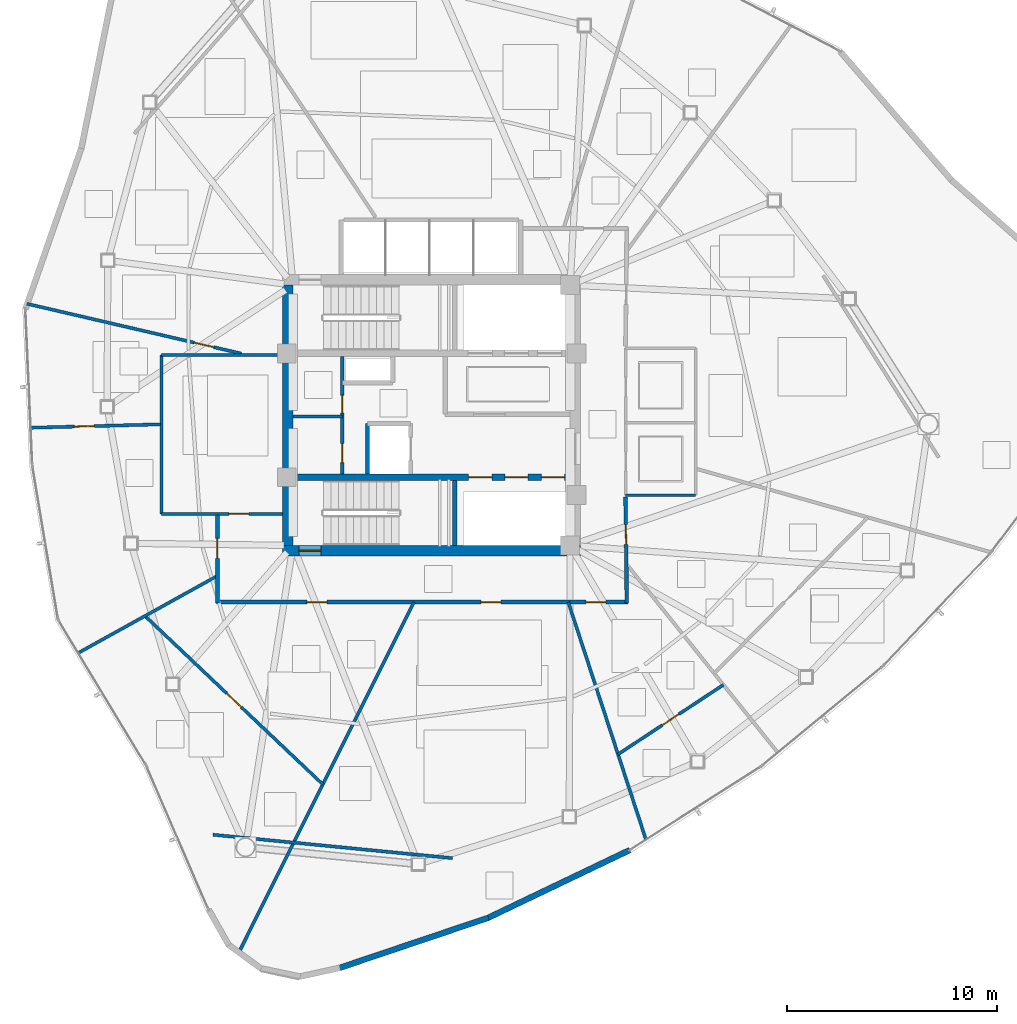
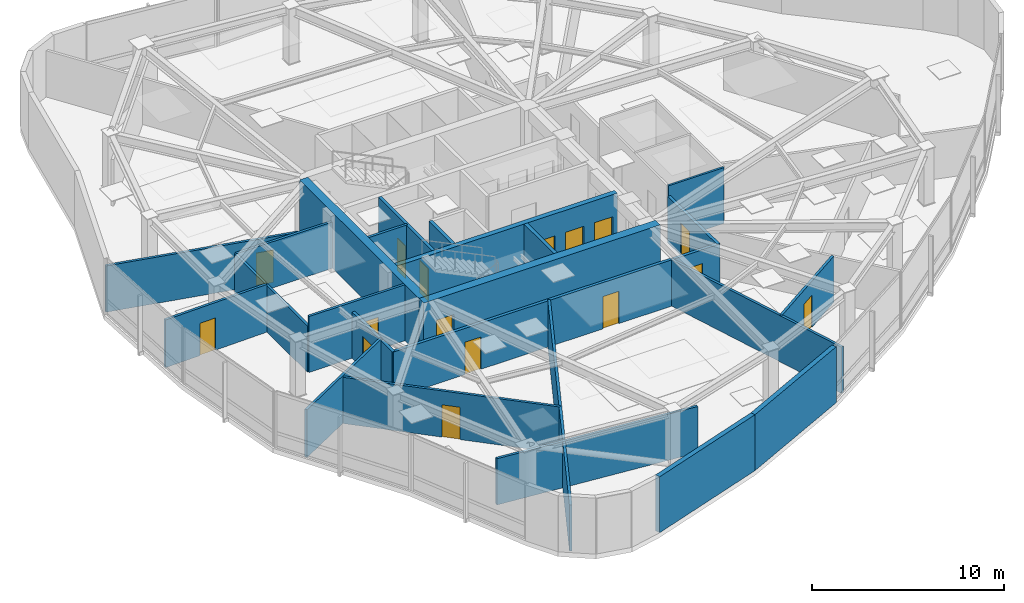
# One storey, part 11 of 17: 24 walls, 16 doors, 16 openings.
"""IFC4 building model written with IfcOpenShell, lengths in metres."""

from ifc_helpers import new_model, si_unit, direction, frame, frame_2d, origin, place, context, subcontext, project, spatial, rectangle, extrude, material, layer, layer_set, type_object, element, fill, save


model = new_model("IFC4")

# Units and contexts
model_context = context("Model", 3, precision=1e-05, world=origin(), true_north=direction((0.0, 1.0)))
body_context = subcontext(model_context, "Body", "Model", "MODEL_VIEW")
ifc_project = project(units=[si_unit("LENGTHUNIT", "METRE"), si_unit("AREAUNIT", "SQUARE_METRE"), si_unit("VOLUMEUNIT", "CUBIC_METRE"), si_unit("PLANEANGLEUNIT", "RADIAN"), si_unit("MASSUNIT", "GRAM", prefix="KILO")], contexts=[model_context])

# Site, building, storey
site_placement = place(None, origin())
site = spatial("IfcSite", under=ifc_project, at=site_placement, CompositionType="ELEMENT")
building_placement = place(site_placement, origin())
building = spatial("IfcBuilding", under=site, at=building_placement, Name="Tavelor Broadcast Tower", CompositionType="ELEMENT")
storey_placement = place(building_placement, frame((0.0, 0.0, 184.89990234375)))
storey = spatial("IfcBuildingStorey", under=building, at=storey_placement, Name="L44", CompositionType="ELEMENT", Elevation=184.89990234375)

# Wall, opening, door
ifc_material_1 = material(Name="Concrete C50/60", Category="concrete")
ifc_layer_1 = layer(ifc_material_1, 0.5)
ifc_layer_set_1 = layer_set([ifc_layer_1], Name="Concrete C50/60")
wall_type_1 = type_object("IfcWallType", Name="Core Shear Wall 500 mm", PredefinedType="SHEAR", material=ifc_layer_set_1)
wall_1_placement = place(storey_placement, frame((42.89990234375, 38.550048828125, 0.0), z_axis=(0.0, 0.0, 1.0), x_axis=(1.0, 0.0, 0.0)))
wall_1 = element("IfcWall", 1, at=wall_1_placement, inside=storey, type_object=wall_type_1, Name="L44 Central Core Shear Wall S", PredefinedType="SHEAR", context=body_context, shape_type="SweptSolid", body=[
    extrude(rectangle(XDim=14.2001953125, YDim=0.5, at=frame_2d((7.10009765625, 0.0))), origin(), (0.0, 0.0, 1.0), 3.550048828125),
])
opening_1_placement = place(wall_1_placement, frame((0.780029296875, 0.0, 0.0)))
opening_1 = element("IfcOpeningElement", 2, at=opening_1_placement, cuts=wall_1, Name="Opening DR11", PredefinedType="OPENING", context=body_context, shape_type="SweptSolid", body=[
    extrude(rectangle(XDim=1.050048828125, YDim=2.199951171875, at=frame_2d((0.52490234375, 1.10009765625))), frame((0.0, 0.260009765625, 0.0), z_axis=(0.0, -1.0, 0.0), x_axis=(1.0, 0.0, 0.0)), (0.0, 0.0, 1.0), 0.52001953125),
])
ifc_material_2 = material(Name="Steel S355", Category="steel")
door_type_1 = type_object("IfcDoorType", Name="Stair Core Fire Escape Door 1050x2200", OperationType="NOTDEFINED", PredefinedType="DOOR", material=ifc_material_2)
door_1_placement = place(opening_1_placement, origin())
door_1 = element("IfcDoor", 3, at=door_1_placement, inside=storey, type_object=door_type_1, Name="L44 Stair ST2 Protected Exit Door", OperationType="SINGLE_SWING_RIGHT", OverallHeight=2.199951171875, OverallWidth=1.050048828125, PredefinedType="DOOR", context=body_context, shape_type="SweptSolid", body=[
    extrude(rectangle(XDim=1.050048828125, YDim=2.199951171875, at=frame_2d((0.52490234375, 1.10009765625))), frame((0.0, 0.02490234375, 0.0), z_axis=(0.0, -1.0, 0.0), x_axis=(1.0, 0.0, 0.0)), (0.0, 0.0, 1.0), 0.050048828125),
])
fill(opening_1, door_1)

# Wall
wall_2_placement = place(storey_placement, frame((43.14990234375, 38.800048828125, 0.0), z_axis=(0.0, 0.0, 1.0), x_axis=(0.0, 1.0, 0.0)))
element("IfcWall", 4, at=wall_2_placement, inside=storey, type_object=wall_type_1, Name="L44 Central Core Shear Wall W", PredefinedType="SHEAR", context=body_context, shape_type="SweptSolid", body=[
    extrude(rectangle(XDim=12.39990234375, YDim=0.5, at=frame_2d((6.199951171875, 0.0))), origin(), (0.0, 0.0, 1.0), 3.550048828125),
])

# Wall, openings, doors
ifc_layer_2 = layer(ifc_material_1, 0.300048828125)
ifc_layer_set_2 = layer_set([ifc_layer_2], Name="Concrete C50/60")
wall_type_2 = type_object("IfcWallType", Name="Core Spine Shear Wall 300 mm C50", PredefinedType="SHEAR", material=ifc_layer_set_2)
wall_3_placement = place(storey_placement, frame((43.39990234375, 42.050048828125, 0.0), z_axis=(0.0, 0.0, 1.0), x_axis=(1.0, 0.0, 0.0)))
wall_3 = element("IfcWall", 5, at=wall_3_placement, inside=storey, type_object=wall_type_2, Name="L44 Central Core Shear Wall SP2", PredefinedType="SHEAR", context=body_context, shape_type="SweptSolid", body=[
    extrude(rectangle(XDim=13.2001953125, YDim=0.300048828125, at=frame_2d((6.60009765625, 0.0))), origin(), (0.0, 0.0, 1.0), 3.550048828125),
])
opening_2_placement = place(wall_3_placement, frame((8.3701171875, 0.0, 0.0)))
opening_2 = element("IfcOpeningElement", 6, at=opening_2_placement, cuts=wall_3, Name="Opening LD01", PredefinedType="OPENING", context=body_context, shape_type="SweptSolid", body=[
    extrude(rectangle(XDim=1.10009765625, YDim=2.14990234375, at=frame_2d((0.550048828125, 1.074951171875))), frame((0.0, 0.16015625, 0.0), z_axis=(0.0, -1.0, 0.0), x_axis=(1.0, 0.0, 0.0)), (0.0, 0.0, 1.0), 0.320068359375),
])
opening_3_placement = place(wall_3_placement, frame((10.090087890625, 0.0, 0.0)))
opening_3 = element("IfcOpeningElement", 7, at=opening_3_placement, cuts=wall_3, Name="Opening LD01", PredefinedType="OPENING", context=body_context, shape_type="SweptSolid", body=[
    extrude(rectangle(XDim=1.10009765625, YDim=2.14990234375, at=frame_2d((0.550048828125, 1.074951171875))), frame((0.0, 0.16015625, 0.0), z_axis=(0.0, -1.0, 0.0), x_axis=(1.0, 0.0, 0.0)), (0.0, 0.0, 1.0), 0.320068359375),
])
opening_4_placement = place(wall_3_placement, frame((11.830078125, 0.0, 0.0)))
opening_4 = element("IfcOpeningElement", 8, at=opening_4_placement, cuts=wall_3, Name="Opening LD01", PredefinedType="OPENING", context=body_context, shape_type="SweptSolid", body=[
    extrude(rectangle(XDim=1.10009765625, YDim=2.14990234375, at=frame_2d((0.550048828125, 1.074951171875))), frame((0.0, 0.16015625, 0.0), z_axis=(0.0, -1.0, 0.0), x_axis=(1.0, 0.0, 0.0)), (0.0, 0.0, 1.0), 0.320068359375),
])
ifc_material_3 = material(Name="Brushed Stainless Steel", Category="steel")
door_type_2 = type_object("IfcDoorType", Name="Passenger Lift Sliding Landing Door 1100x2150", OperationType="NOTDEFINED", PredefinedType="DOOR", material=ifc_material_3)
door_2_placement = place(opening_2_placement, origin())
door_2 = element("IfcDoor", 9, at=door_2_placement, inside=storey, type_object=door_type_2, Name="L44 Lift PLM1 Sliding Landing Door", OperationType="SLIDING_TO_LEFT", OverallHeight=2.14990234375, OverallWidth=1.10009765625, PredefinedType="DOOR", context=body_context, shape_type="SweptSolid", body=[
    extrude(rectangle(XDim=1.10009765625, YDim=2.14990234375, at=frame_2d((0.550048828125, 1.074951171875))), frame((0.0, 0.02490234375, 0.0), z_axis=(0.0, -1.0, 0.0), x_axis=(1.0, 0.0, 0.0)), (0.0, 0.0, 1.0), 0.050048828125),
])
fill(opening_2, door_2)
door_3_placement = place(opening_3_placement, origin())
door_3 = element("IfcDoor", 10, at=door_3_placement, inside=storey, type_object=door_type_2, Name="L44 Lift PLM2 Sliding Landing Door", OperationType="SLIDING_TO_LEFT", OverallHeight=2.14990234375, OverallWidth=1.10009765625, PredefinedType="DOOR", context=body_context, shape_type="SweptSolid", body=[
    extrude(rectangle(XDim=1.10009765625, YDim=2.14990234375, at=frame_2d((0.550048828125, 1.074951171875))), frame((0.0, 0.02490234375, 0.0), z_axis=(0.0, -1.0, 0.0), x_axis=(1.0, 0.0, 0.0)), (0.0, 0.0, 1.0), 0.050048828125),
])
fill(opening_3, door_3)
door_4_placement = place(opening_4_placement, origin())
door_4 = element("IfcDoor", 11, at=door_4_placement, inside=storey, type_object=door_type_2, Name="L44 Lift PLM3 Sliding Landing Door", OperationType="SLIDING_TO_LEFT", OverallHeight=2.14990234375, OverallWidth=1.10009765625, PredefinedType="DOOR", context=body_context, shape_type="SweptSolid", body=[
    extrude(rectangle(XDim=1.10009765625, YDim=2.14990234375, at=frame_2d((0.550048828125, 1.074951171875))), frame((0.0, 0.02490234375, 0.0), z_axis=(0.0, -1.0, 0.0), x_axis=(1.0, 0.0, 0.0)), (0.0, 0.0, 1.0), 0.050048828125),
])
fill(opening_4, door_4)

ifc_material_4 = material(Name="Calcium Silicate Fire Board 180 mm", Category="gypsum")
ifc_layer_3 = layer(ifc_material_4, 0.179931640625)
ifc_layer_set_3 = layer_set([ifc_layer_3], Name="Calcium Silicate Fire Board 180 mm")
wall_type_3 = type_object("IfcWallType", Name="Fire-Rated Corridor Partition Wall 180 mm", PredefinedType="PARTITIONING", material=ifc_layer_set_3)
wall_4_placement = place(storey_placement, frame((45.75, 42.199951171875, 0.0), z_axis=(0.0, 0.0, 1.0), x_axis=(0.0, 1.0, 0.0)))
wall_4 = element("IfcWall", 12, at=wall_4_placement, inside=storey, type_object=wall_type_3, Name="L44 Core West Service East Wall", PredefinedType="PARTITIONING", context=body_context, shape_type="SweptSolid", body=[
    extrude(rectangle(XDim=5.60009765625, YDim=0.179931640625, at=frame_2d((2.800048828125, 0.0))), origin(), (0.0, 0.0, 1.0), 3.550048828125),
])
opening_5_placement = place(wall_4_placement, frame((0.550048828125, 0.0, 0.0)))
opening_5 = element("IfcOpeningElement", 13, at=opening_5_placement, cuts=wall_4, Name="Opening DR32", PredefinedType="OPENING", context=body_context, shape_type="SweptSolid", body=[
    extrude(rectangle(XDim=0.89990234375, YDim=2.050048828125, at=frame_2d((0.449951171875, 1.02490234375))), frame((0.0, 0.10009765625, 0.0), z_axis=(0.0, -1.0, 0.0), x_axis=(1.0, 0.0, 0.0)), (0.0, 0.0, 1.0), 0.199951171875),
])
opening_6_placement = place(wall_4_placement, frame((2.89990234375, 0.0, 0.0)))
opening_6 = element("IfcOpeningElement", 14, at=opening_6_placement, cuts=wall_4, Name="Opening DR36", PredefinedType="OPENING", context=body_context, shape_type="SweptSolid", body=[
    extrude(rectangle(XDim=0.85009765625, YDim=2.050048828125, at=frame_2d((0.425048828125, 1.02490234375))), frame((0.0, 0.10009765625, 0.0), z_axis=(0.0, -1.0, 0.0), x_axis=(1.0, 0.0, 0.0)), (0.0, 0.0, 1.0), 0.199951171875),
])
ifc_material_5 = material(Name="Timber Solid Core Hardwood", Category="wood")
door_type_3 = type_object("IfcDoorType", Name="Accessible Washroom Door 900x2050", OperationType="NOTDEFINED", PredefinedType="DOOR", material=ifc_material_5)
door_5_placement = place(opening_5_placement, origin())
door_5 = element("IfcDoor", 15, at=door_5_placement, inside=storey, type_object=door_type_3, Name="L44 Core Accessible WC Door", OperationType="SINGLE_SWING_LEFT", OverallHeight=2.050048828125, OverallWidth=0.89990234375, PredefinedType="DOOR", context=body_context, shape_type="SweptSolid", body=[
    extrude(rectangle(XDim=0.89990234375, YDim=2.050048828125, at=frame_2d((0.449951171875, 1.02490234375))), frame((0.0, 0.02490234375, 0.0), z_axis=(0.0, -1.0, 0.0), x_axis=(1.0, 0.0, 0.0)), (0.0, 0.0, 1.0), 0.050048828125),
])
fill(opening_5, door_5)
door_type_4 = type_object("IfcDoorType", Name="Service Room Fire Door 850x2050", OperationType="NOTDEFINED", PredefinedType="DOOR", material=ifc_material_2)
door_6_placement = place(opening_6_placement, origin())
door_6 = element("IfcDoor", 16, at=door_6_placement, inside=storey, type_object=door_type_4, Name="L44 Core Cleaner Store Door", OperationType="SINGLE_SWING_RIGHT", OverallHeight=2.050048828125, OverallWidth=0.85009765625, PredefinedType="DOOR", context=body_context, shape_type="SweptSolid", body=[
    extrude(rectangle(XDim=0.85009765625, YDim=2.050048828125, at=frame_2d((0.425048828125, 1.02490234375))), frame((0.0, 0.02490234375, 0.0), z_axis=(0.0, -1.0, 0.0), x_axis=(1.0, 0.0, 0.0)), (0.0, 0.0, 1.0), 0.050048828125),
])
fill(opening_6, door_6)

# Wall, opening, door
wall_5_placement = place(storey_placement, frame((59.240478515625, 41.10009765625, 0.0), z_axis=(0.0, 0.0, 1.0), x_axis=(0.011891834917, -0.999929289631, 0.0)))
wall_5 = element("IfcWall", 17, at=wall_5_placement, inside=storey, type_object=wall_type_3, Name="L44 Corridor Compartment Wall 03", PredefinedType="PARTITIONING", context=body_context, shape_type="SweptSolid", body=[
    extrude(rectangle(XDim=5.05029296875, YDim=0.179931640625, at=frame_2d((2.525146484375, 0.0))), origin(), (0.0, 0.0, 1.0), 2.93505859375),
])
opening_7_placement = place(wall_5_placement, frame((1.304931640625, 0.0, 0.0)))
opening_7 = element("IfcOpeningElement", 18, at=opening_7_placement, cuts=wall_5, Name="Opening DR18", PredefinedType="OPENING", context=body_context, shape_type="SweptSolid", body=[
    extrude(rectangle(XDim=0.949951171875, YDim=2.050048828125, at=frame_2d((0.47509765625, 1.02490234375))), frame((0.0, 0.10009765625, 0.0), z_axis=(0.0, -1.0, 0.0), x_axis=(1.0, 0.0, 0.0)), (0.0, 0.0, 1.0), 0.199951171875),
])
door_type_5 = type_object("IfcDoorType", Name="Corridor Rated Compartment Door 950x2050", OperationType="NOTDEFINED", PredefinedType="DOOR", material=ifc_material_5)
door_7_placement = place(opening_7_placement, origin())
door_7 = element("IfcDoor", 19, at=door_7_placement, inside=storey, type_object=door_type_5, Name="L44 Press Concierge Desk Door R10", OperationType="SINGLE_SWING_LEFT", OverallHeight=2.050048828125, OverallWidth=0.949951171875, PredefinedType="DOOR", context=body_context, shape_type="SweptSolid", body=[
    extrude(rectangle(XDim=0.949951171875, YDim=2.050048828125, at=frame_2d((0.47509765625, 1.02490234375))), frame((0.0, 0.02490234375, 0.0), z_axis=(0.0, -1.0, 0.0), x_axis=(1.0, 0.0, 0.0)), (0.0, 0.0, 1.0), 0.050048828125),
])
fill(opening_7, door_7)

# Wall, openings, doors
wall_6_placement = place(storey_placement, frame((59.35009765625, 36.10009765625, 0.0), z_axis=(0.0, 0.0, 1.0), x_axis=(-1.0, 0.0, 0.0)))
wall_6 = element("IfcWall", 20, at=wall_6_placement, inside=storey, type_object=wall_type_3, Name="L44 Corridor Compartment Wall 04", PredefinedType="PARTITIONING", context=body_context, shape_type="SweptSolid", body=[
    extrude(rectangle(XDim=19.60009765625, YDim=0.179931640625, at=frame_2d((9.800048828125, 0.0))), origin(), (0.0, 0.0, 1.0), 2.93505859375),
])
opening_8_placement = place(wall_6_placement, frame((1.042236328125, 0.0, 0.0)))
opening_8 = element("IfcOpeningElement", 21, at=opening_8_placement, cuts=wall_6, Name="Opening DR18", PredefinedType="OPENING", context=body_context, shape_type="SweptSolid", body=[
    extrude(rectangle(XDim=0.949951171875, YDim=2.050048828125, at=frame_2d((0.47509765625, 1.02490234375))), frame((0.0, 0.10009765625, 0.0), z_axis=(0.0, -1.0, 0.0), x_axis=(1.0, 0.0, 0.0)), (0.0, 0.0, 1.0), 0.199951171875),
])
opening_9_placement = place(wall_6_placement, frame((6.048095703125, 0.0, 0.0)))
opening_9 = element("IfcOpeningElement", 22, at=opening_9_placement, cuts=wall_6, Name="Opening DR18", PredefinedType="OPENING", context=body_context, shape_type="SweptSolid", body=[
    extrude(rectangle(XDim=0.949951171875, YDim=2.050048828125, at=frame_2d((0.47509765625, 1.02490234375))), frame((0.0, 0.10009765625, 0.0), z_axis=(0.0, -1.0, 0.0), x_axis=(1.0, 0.0, 0.0)), (0.0, 0.0, 1.0), 0.199951171875),
])
opening_10_placement = place(wall_6_placement, frame((14.3359375, 0.0, 0.0)))
opening_10 = element("IfcOpeningElement", 23, at=opening_10_placement, cuts=wall_6, Name="Opening DR18", PredefinedType="OPENING", context=body_context, shape_type="SweptSolid", body=[
    extrude(rectangle(XDim=0.949951171875, YDim=2.050048828125, at=frame_2d((0.47509765625, 1.02490234375))), frame((0.0, 0.10009765625, 0.0), z_axis=(0.0, -1.0, 0.0), x_axis=(1.0, 0.0, 0.0)), (0.0, 0.0, 1.0), 0.199951171875),
])
door_8_placement = place(opening_8_placement, origin())
door_8 = element("IfcDoor", 24, at=door_8_placement, inside=storey, type_object=door_type_5, Name="L44 Quiet Listening Room Door R11", OperationType="SINGLE_SWING_RIGHT", OverallHeight=2.050048828125, OverallWidth=0.949951171875, PredefinedType="DOOR", context=body_context, shape_type="SweptSolid", body=[
    extrude(rectangle(XDim=0.949951171875, YDim=2.050048828125, at=frame_2d((0.47509765625, 1.02490234375))), frame((0.0, 0.02490234375, 0.0), z_axis=(0.0, -1.0, 0.0), x_axis=(1.0, 0.0, 0.0)), (0.0, 0.0, 1.0), 0.050048828125),
])
fill(opening_8, door_8)
door_9_placement = place(opening_9_placement, origin())
door_9 = element("IfcDoor", 25, at=door_9_placement, inside=storey, type_object=door_type_5, Name="L44 Producer Interview Room Door R3", OperationType="SINGLE_SWING_LEFT", OverallHeight=2.050048828125, OverallWidth=0.949951171875, PredefinedType="DOOR", context=body_context, shape_type="SweptSolid", body=[
    extrude(rectangle(XDim=0.949951171875, YDim=2.050048828125, at=frame_2d((0.47509765625, 1.02490234375))), frame((0.0, 0.02490234375, 0.0), z_axis=(0.0, -1.0, 0.0), x_axis=(1.0, 0.0, 0.0)), (0.0, 0.0, 1.0), 0.050048828125),
])
fill(opening_9, door_9)
door_10_placement = place(opening_10_placement, origin())
door_10 = element("IfcDoor", 26, at=door_10_placement, inside=storey, type_object=door_type_5, Name="L44 Talent Concierge Desk Door R12", OperationType="SINGLE_SWING_RIGHT", OverallHeight=2.050048828125, OverallWidth=0.949951171875, PredefinedType="DOOR", context=body_context, shape_type="SweptSolid", body=[
    extrude(rectangle(XDim=0.949951171875, YDim=2.050048828125, at=frame_2d((0.47509765625, 1.02490234375))), frame((0.0, 0.02490234375, 0.0), z_axis=(0.0, -1.0, 0.0), x_axis=(1.0, 0.0, 0.0)), (0.0, 0.0, 1.0), 0.050048828125),
])
fill(opening_10, door_10)

# Wall, opening, door
wall_7_placement = place(storey_placement, frame((39.800048828125, 36.050048828125, 0.0), z_axis=(0.0, 0.0, 1.0), x_axis=(0.0, 1.0, 0.0)))
wall_7 = element("IfcWall", 27, at=wall_7_placement, inside=storey, type_object=wall_type_3, Name="L44 Corridor Compartment Wall 05", PredefinedType="PARTITIONING", context=body_context, shape_type="SweptSolid", body=[
    extrude(rectangle(XDim=4.199951171875, YDim=0.179931640625, at=frame_2d((2.10009765625, 0.0))), origin(), (0.0, 0.0, 1.0), 2.93505859375),
])
opening_11_placement = place(wall_7_placement, frame((2.1337890625, 0.0, 0.0)))
opening_11 = element("IfcOpeningElement", 28, at=opening_11_placement, cuts=wall_7, Name="Opening DR18", PredefinedType="OPENING", context=body_context, shape_type="SweptSolid", body=[
    extrude(rectangle(XDim=0.949951171875, YDim=2.050048828125, at=frame_2d((0.47509765625, 1.02490234375))), frame((0.0, 0.10009765625, 0.0), z_axis=(0.0, -1.0, 0.0), x_axis=(1.0, 0.0, 0.0)), (0.0, 0.0, 1.0), 0.199951171875),
])
door_11_placement = place(opening_11_placement, origin())
door_11 = element("IfcDoor", 29, at=door_11_placement, inside=storey, type_object=door_type_5, Name="L44 Press Interview Room Door R5", OperationType="SINGLE_SWING_LEFT", OverallHeight=2.050048828125, OverallWidth=0.949951171875, PredefinedType="DOOR", context=body_context, shape_type="SweptSolid", body=[
    extrude(rectangle(XDim=0.949951171875, YDim=2.050048828125, at=frame_2d((0.47509765625, 1.02490234375))), frame((0.0, 0.02490234375, 0.0), z_axis=(0.0, -1.0, 0.0), x_axis=(1.0, 0.0, 0.0)), (0.0, 0.0, 1.0), 0.050048828125),
])
fill(opening_11, door_11)

# Walls
ifc_material_6 = material(Name="Precast Concrete C40/50", Category="concrete")
ifc_layer_4 = layer(ifc_material_6, 0.280029296875)
ifc_layer_set_4 = layer_set([ifc_layer_4], Name="Precast Concrete C40/50")
wall_type_4 = type_object("IfcWallType", Name="Insulated Precast Terracotta Facade Wall 280 mm", PredefinedType="STANDARD", material=ifc_layer_set_4)
wall_8_placement = place(storey_placement, frame((45.602783203125, 18.666015625, 0.0), z_axis=(0.0, 0.0, 1.0), x_axis=(0.947636650707, 0.31935055697, 0.0)))
element("IfcWall", 30, at=wall_8_placement, inside=storey, type_object=wall_type_4, Name="L44 Rounded Corner Structural Cladding Pier 15", PredefinedType="STANDARD", context=body_context, shape_type="SweptSolid", body=[
    extrude(rectangle(XDim=7.501220703125, YDim=0.280029296875, at=frame_2d((3.75048828125, 0.0))), origin(), (0.0, 0.0, 1.0), 3.550048828125),
])
wall_9_placement = place(storey_placement, frame((52.68359375, 21.05029296875, 0.0), z_axis=(0.0, 0.0, 1.0), x_axis=(0.902032138124, 0.431668879804, 0.0)))
element("IfcWall", 31, at=wall_9_placement, inside=storey, type_object=wall_type_4, Name="L44 Rounded Corner Structural Cladding Pier 16", PredefinedType="STANDARD", context=body_context, shape_type="SweptSolid", body=[
    extrude(rectangle(XDim=7.4892578125, YDim=0.280029296875, at=frame_2d((3.74462890625, 0.0))), origin(), (0.0, 0.0, 1.0), 3.550048828125),
])
ifc_material_7 = material(Name="Gypsum Acoustic Plasterboard 150 mm", Category="gypsum")
ifc_layer_5 = layer(ifc_material_7, 0.14990234375)
ifc_layer_set_5 = layer_set([ifc_layer_5], Name="Gypsum Acoustic Plasterboard 150 mm")
wall_type_5 = type_object("IfcWallType", Name="Interior Acoustic Partition Wall 150 mm", PredefinedType="PARTITIONING", material=ifc_layer_set_5)
wall_10_placement = place(storey_placement, frame((43.39990234375, 44.949951171875, 0.0), z_axis=(0.0, 0.0, 1.0), x_axis=(1.0, 0.0, 0.0)))
element("IfcWall", 32, at=wall_10_placement, inside=storey, type_object=wall_type_5, Name="L44 Core Split Wall A", PredefinedType="PARTITIONING", context=body_context, shape_type="SweptSolid", body=[
    extrude(rectangle(XDim=2.35009765625, YDim=0.14990234375, at=frame_2d((1.175048828125, 0.0))), origin(), (0.0, 0.0, 1.0), 3.550048828125),
])
wall_11_placement = place(storey_placement, frame((39.589111328125, 25.017578125, 0.0), z_axis=(0.0, 0.0, 1.0), x_axis=(0.99524905582, -0.097361783517, 0.0)))
element("IfcWall", 33, at=wall_11_placement, inside=storey, type_object=wall_type_5, Name="L44 Corner Tube Brace Furring Wall 2", PredefinedType="PARTITIONING", context=body_context, shape_type="SweptSolid", body=[
    extrude(rectangle(XDim=11.467041015625, YDim=0.14990234375, at=frame_2d((5.7333984375, 0.0))), origin(), (0.0, 0.0, 1.0), 2.93505859375),
])

# Wall, opening, door
wall_12_placement = place(storey_placement, frame((37.139892578125, 40.300048828125, 0.0), z_axis=(0.0, 0.0, 1.0), x_axis=(1.0, 0.0, 0.0)))
wall_12 = element("IfcWall", 34, at=wall_12_placement, inside=storey, type_object=wall_type_5, Name="L44 Reclaimed Shaft Pantry South Wall", PredefinedType="PARTITIONING", context=body_context, shape_type="SweptSolid", body=[
    extrude(rectangle(XDim=5.760009765625, YDim=0.14990234375, at=frame_2d((2.8798828125, 0.0))), origin(), (0.0, 0.0, 1.0), 3.550048828125),
])
opening_12_placement = place(wall_12_placement, frame((3.2099609375, 0.0, 0.0)))
opening_12 = element("IfcOpeningElement", 35, at=opening_12_placement, cuts=wall_12, Name="Opening DR18", PredefinedType="OPENING", context=body_context, shape_type="SweptSolid", body=[
    extrude(rectangle(XDim=0.949951171875, YDim=2.050048828125, at=frame_2d((0.47509765625, 1.02490234375))), frame((0.0, 0.0849609375, 0.0), z_axis=(0.0, -1.0, 0.0), x_axis=(1.0, 0.0, 0.0)), (0.0, 0.0, 1.0), 0.169921875),
])
door_12_placement = place(opening_12_placement, origin())
door_12 = element("IfcDoor", 36, at=door_12_placement, inside=storey, type_object=door_type_5, Name="L44 Broadcast IT Patch and Pantry Door", OperationType="SINGLE_SWING_LEFT", OverallHeight=2.050048828125, OverallWidth=0.949951171875, PredefinedType="DOOR", context=body_context, shape_type="SweptSolid", body=[
    extrude(rectangle(XDim=0.949951171875, YDim=2.050048828125, at=frame_2d((0.47509765625, 1.02490234375))), frame((0.0, 0.02490234375, 0.0), z_axis=(0.0, -1.0, 0.0), x_axis=(1.0, 0.0, 0.0)), (0.0, 0.0, 1.0), 0.050048828125),
])
fill(opening_12, door_12)

# Walls
wall_13_placement = place(storey_placement, frame((37.139892578125, 40.300048828125, 0.0), z_axis=(0.0, 0.0, 1.0), x_axis=(0.0, 1.0, 0.0)))
element("IfcWall", 37, at=wall_13_placement, inside=storey, type_object=wall_type_5, Name="L44 Reclaimed Shaft Pantry West Wall", PredefinedType="PARTITIONING", context=body_context, shape_type="SweptSolid", body=[
    extrude(rectangle(XDim=7.579833984375, YDim=0.14990234375, at=frame_2d((3.7900390625, 0.0))), origin(), (0.0, 0.0, 1.0), 2.93505859375),
])
wall_14_placement = place(storey_placement, frame((37.139892578125, 47.8798828125, 0.0), z_axis=(0.0, 0.0, 1.0), x_axis=(1.0, 0.0, 0.0)))
element("IfcWall", 38, at=wall_14_placement, inside=storey, type_object=wall_type_5, Name="L44 Reclaimed Shaft Pantry North Wall", PredefinedType="PARTITIONING", context=body_context, shape_type="SweptSolid", body=[
    extrude(rectangle(XDim=5.760009765625, YDim=0.14990234375, at=frame_2d((2.8798828125, 0.0))), origin(), (0.0, 0.0, 1.0), 2.93505859375),
])

# Wall, opening, door
wall_15_placement = place(storey_placement, frame((37.080078125, 44.5673828125, 0.0), z_axis=(0.0, 0.0, 1.0), x_axis=(-0.999658109606, -0.026146967282, 0.0)))
wall_15 = element("IfcWall", 39, at=wall_15_placement, inside=storey, type_object=wall_type_5, Name="L44 Radial Compartment Wall 01", PredefinedType="PARTITIONING", context=body_context, shape_type="SweptSolid", body=[
    extrude(rectangle(XDim=6.190673828125, YDim=0.14990234375, at=frame_2d((3.09521484375, 0.0))), origin(), (0.0, 0.0, 1.0), 3.025146484375),
])
opening_13_placement = place(wall_15_placement, frame((3.14990234375, 0.0, 0.0)))
opening_13 = element("IfcOpeningElement", 40, at=opening_13_placement, cuts=wall_15, Name="Opening DR18", PredefinedType="OPENING", context=body_context, shape_type="SweptSolid", body=[
    extrude(rectangle(XDim=0.949951171875, YDim=2.050048828125, at=frame_2d((0.47509765625, 1.02490234375))), frame((0.0, 0.0849609375, 0.0), z_axis=(0.0, -1.0, 0.0), x_axis=(1.0, 0.0, 0.0)), (0.0, 0.0, 1.0), 0.169921875),
])
door_13_placement = place(opening_13_placement, origin())
door_13 = element("IfcDoor", 41, at=door_13_placement, inside=storey, type_object=door_type_5, Name="L44 Suite Connecting Door 6", OperationType="SINGLE_SWING_LEFT", OverallHeight=2.050048828125, OverallWidth=0.949951171875, PredefinedType="DOOR", context=body_context, shape_type="SweptSolid", body=[
    extrude(rectangle(XDim=0.949951171875, YDim=2.050048828125, at=frame_2d((0.47509765625, 1.02490234375))), frame((0.0, 0.02490234375, 0.0), z_axis=(0.0, -1.0, 0.0), x_axis=(1.0, 0.0, 0.0)), (0.0, 0.0, 1.0), 0.050048828125),
])
fill(opening_13, door_13)

# Walls
wall_16_placement = place(storey_placement, frame((39.800048828125, 37.352294921875, 0.0), z_axis=(0.0, 0.0, 1.0), x_axis=(-0.874672623568, -0.484714144193, 0.0)))
element("IfcWall", 42, at=wall_16_placement, inside=storey, type_object=wall_type_5, Name="L44 Radial Compartment Wall 02", PredefinedType="PARTITIONING", context=body_context, shape_type="SweptSolid", body=[
    extrude(rectangle(XDim=7.59033203125, YDim=0.14990234375, at=frame_2d((3.795166015625, 0.0))), origin(), (0.0, 0.0, 1.0), 3.025146484375),
])
wall_17_placement = place(storey_placement, frame((49.156005859375, 36.10009765625, 0.0), z_axis=(0.0, 0.0, 1.0), x_axis=(-0.446742672299, -0.894662497676, 0.0)))
element("IfcWall", 43, at=wall_17_placement, inside=storey, type_object=wall_type_5, Name="L44 Radial Compartment Wall 03", PredefinedType="PARTITIONING", context=body_context, shape_type="SweptSolid", body=[
    extrude(rectangle(XDim=18.666015625, YDim=0.14990234375, at=frame_2d((9.3330078125, 0.0))), origin(), (0.0, 0.0, 1.0), 2.93505859375),
])
wall_18_placement = place(storey_placement, frame((56.51171875, 36.10009765625, 0.0), z_axis=(0.0, 0.0, 1.0), x_axis=(0.310939511527, -0.950429702909, 0.0)))
element("IfcWall", 44, at=wall_18_placement, inside=storey, type_object=wall_type_5, Name="L44 Radial Compartment Wall 04", PredefinedType="PARTITIONING", context=body_context, shape_type="SweptSolid", body=[
    extrude(rectangle(XDim=11.922119140625, YDim=0.14990234375, at=frame_2d((5.9609375, 0.0))), origin(), (0.0, 0.0, 1.0), 2.93505859375),
])

# Wall, opening, door
wall_19_placement = place(storey_placement, frame((40.937255859375, 47.93994140625, 0.0), z_axis=(0.0, 0.0, 1.0), x_axis=(-0.974091245641, 0.226155356263, 0.0)))
wall_19 = element("IfcWall", 45, at=wall_19_placement, inside=storey, type_object=wall_type_5, Name="L44 Radial Compartment Wall 10", PredefinedType="PARTITIONING", context=body_context, shape_type="SweptSolid", body=[
    extrude(rectangle(XDim=10.4833984375, YDim=0.14990234375, at=frame_2d((5.24169921875, 0.0))), origin(), (0.0, 0.0, 1.0), 2.93505859375),
])
opening_14_placement = place(wall_19_placement, frame((1.35009765625, 0.0, 0.0)))
opening_14 = element("IfcOpeningElement", 46, at=opening_14_placement, cuts=wall_19, Name="Opening DR18", PredefinedType="OPENING", context=body_context, shape_type="SweptSolid", body=[
    extrude(rectangle(XDim=0.949951171875, YDim=2.050048828125, at=frame_2d((0.47509765625, 1.02490234375))), frame((0.0, 0.0849609375, 0.0), z_axis=(0.0, -1.0, 0.0), x_axis=(1.0, 0.0, 0.0)), (0.0, 0.0, 1.0), 0.169921875),
])
door_14_placement = place(opening_14_placement, origin())
door_14 = element("IfcDoor", 47, at=door_14_placement, inside=storey, type_object=door_type_5, Name="L44 Suite Connecting Door 7", OperationType="SINGLE_SWING_LEFT", OverallHeight=2.050048828125, OverallWidth=0.949951171875, PredefinedType="DOOR", context=body_context, shape_type="SweptSolid", body=[
    extrude(rectangle(XDim=0.949951171875, YDim=2.050048828125, at=frame_2d((0.47509765625, 1.02490234375))), frame((0.0, 0.02490234375, 0.0), z_axis=(0.0, -1.0, 0.0), x_axis=(1.0, 0.0, 0.0)), (0.0, 0.0, 1.0), 0.050048828125),
])
fill(opening_14, door_14)

wall_20_placement = place(storey_placement, frame((36.34765625, 35.439208984375, 0.0), z_axis=(0.0, 0.0, 1.0), x_axis=(0.726094522042, -0.687594898949, 0.0)))
wall_20 = element("IfcWall", 48, at=wall_20_placement, inside=storey, type_object=wall_type_5, Name="L44 Suite Chord Partition Wall 01", PredefinedType="PARTITIONING", context=body_context, shape_type="SweptSolid", body=[
    extrude(rectangle(XDim=11.668212890625, YDim=0.14990234375, at=frame_2d((5.833984375, 0.0))), origin(), (0.0, 0.0, 1.0), 2.93505859375),
])
opening_15_placement = place(wall_20_placement, frame((5.35888671875, 0.0, 0.0)))
opening_15 = element("IfcOpeningElement", 49, at=opening_15_placement, cuts=wall_20, Name="Opening DR23", PredefinedType="OPENING", context=body_context, shape_type="SweptSolid", body=[
    extrude(rectangle(XDim=0.949951171875, YDim=2.050048828125, at=frame_2d((0.47509765625, 1.02490234375))), frame((0.0, 0.0849609375, 0.0), z_axis=(0.0, -1.0, 0.0), x_axis=(1.0, 0.0, 0.0)), (0.0, 0.0, 1.0), 0.169921875),
])
door_type_6 = type_object("IfcDoorType", Name="Editorial Room Acoustic Door 950x2050", OperationType="NOTDEFINED", PredefinedType="DOOR", material=ifc_material_5)
door_15_placement = place(opening_15_placement, origin())
door_15 = element("IfcDoor", 50, at=door_15_placement, inside=storey, type_object=door_type_6, Name="L44 Outer Suite Partition Door 1", OperationType="SINGLE_SWING_RIGHT", OverallHeight=2.050048828125, OverallWidth=0.949951171875, PredefinedType="DOOR", context=body_context, shape_type="SweptSolid", body=[
    extrude(rectangle(XDim=0.949951171875, YDim=2.050048828125, at=frame_2d((0.47509765625, 1.02490234375))), frame((0.0, 0.02490234375, 0.0), z_axis=(0.0, -1.0, 0.0), x_axis=(1.0, 0.0, 0.0)), (0.0, 0.0, 1.0), 0.050048828125),
])
fill(opening_15, door_15)

wall_21_placement = place(storey_placement, frame((58.88427734375, 28.84814453125, 0.0), z_axis=(0.0, 0.0, 1.0), x_axis=(0.834609033184, 0.550842774054, 0.0)))
wall_21 = element("IfcWall", 51, at=wall_21_placement, inside=storey, type_object=wall_type_5, Name="L44 Suite Chord Partition Wall 03", PredefinedType="PARTITIONING", context=body_context, shape_type="SweptSolid", body=[
    extrude(rectangle(XDim=6.01220703125, YDim=0.14990234375, at=frame_2d((3.006103515625, 0.0))), origin(), (0.0, 0.0, 1.0), 2.93505859375),
])
opening_16_placement = place(wall_21_placement, frame((2.531005859375, 0.0, 0.0)))
opening_16 = element("IfcOpeningElement", 52, at=opening_16_placement, cuts=wall_21, Name="Opening DR23", PredefinedType="OPENING", context=body_context, shape_type="SweptSolid", body=[
    extrude(rectangle(XDim=0.949951171875, YDim=2.050048828125, at=frame_2d((0.47509765625, 1.02490234375))), frame((0.0, 0.0849609375, 0.0), z_axis=(0.0, -1.0, 0.0), x_axis=(1.0, 0.0, 0.0)), (0.0, 0.0, 1.0), 0.169921875),
])
door_16_placement = place(opening_16_placement, origin())
door_16 = element("IfcDoor", 53, at=door_16_placement, inside=storey, type_object=door_type_6, Name="L44 Outer Suite Partition Door 3", OperationType="SINGLE_SWING_RIGHT", OverallHeight=2.050048828125, OverallWidth=0.949951171875, PredefinedType="DOOR", context=body_context, shape_type="SweptSolid", body=[
    extrude(rectangle(XDim=0.949951171875, YDim=2.050048828125, at=frame_2d((0.47509765625, 1.02490234375))), frame((0.0, 0.02490234375, 0.0), z_axis=(0.0, -1.0, 0.0), x_axis=(1.0, 0.0, 0.0)), (0.0, 0.0, 1.0), 0.050048828125),
])
fill(opening_16, door_16)

# Walls
ifc_material_8 = material(Name="Concrete Blockwork 200 mm", Category="masonry")
ifc_layer_6 = layer(ifc_material_8, 0.199951171875)
ifc_layer_set_6 = layer_set([ifc_layer_6], Name="Concrete Blockwork 200 mm")
wall_type_6 = type_object("IfcWallType", Name="Lift and Riser Shaft Enclosure Wall 200 mm", PredefinedType="PARTITIONING", material=ifc_layer_set_6)
wall_22_placement = place(storey_placement, frame((46.949951171875, 42.199951171875, 0.0), z_axis=(0.0, 0.0, 1.0), x_axis=(0.0, 1.0, 0.0)))
element("IfcWall", 54, at=wall_22_placement, inside=storey, type_object=wall_type_6, Name="L44 Mid-Rise Lift PLM4 West Wall", PredefinedType="PARTITIONING", context=body_context, shape_type="SweptSolid", body=[
    extrude(rectangle(XDim=2.400146484375, YDim=0.199951171875, at=frame_2d((1.2001953125, 0.0))), origin(), (0.0, 0.0, 1.0), 3.550048828125),
])
ifc_material_9 = material(Name="Moisture-Resistant Plasterboard 120 mm", Category="gypsum")
ifc_layer_7 = layer(ifc_material_9, 0.1201171875)
ifc_layer_set_7 = layer_set([ifc_layer_7], Name="Moisture-Resistant Plasterboard 120 mm")
wall_type_7 = type_object("IfcWallType", Name="Moisture-Resistant Wet-Room Partition 120 mm", PredefinedType="PARTITIONING", material=ifc_layer_set_7)
wall_23_placement = place(storey_placement, frame((59.239990234375, 41.199951171875, 0.0), z_axis=(0.0, 0.0, 1.0), x_axis=(1.0, 0.0, 0.0)))
element("IfcWall", 55, at=wall_23_placement, inside=storey, type_object=wall_type_7, Name="L44 Floor Washrooms South Wall", PredefinedType="PARTITIONING", context=body_context, shape_type="SweptSolid", body=[
    extrude(rectangle(XDim=3.340087890625, YDim=0.1201171875, at=frame_2d((1.669921875, 0.0))), origin(), (0.0, 0.0, 1.0), 3.550048828125),
])
ifc_material_10 = material(Name="Concrete C40/50", Category="concrete")
ifc_layer_8 = layer(ifc_material_10, 0.219970703125)
ifc_layer_set_8 = layer_set([ifc_layer_8], Name="Concrete C40/50")
wall_type_8 = type_object("IfcWallType", Name="Structural Stairwell Shear Wall 220 mm", PredefinedType="SHEAR", material=ifc_layer_set_8)
wall_24_placement = place(storey_placement, frame((51.110107421875, 38.800048828125, 0.0), z_axis=(0.0, 0.0, 1.0), x_axis=(0.0, 1.0, 0.0)))
element("IfcWall", 56, at=wall_24_placement, inside=storey, type_object=wall_type_8, Name="L44 Stair ST2 Structural Shaft Wall", PredefinedType="SHEAR", context=body_context, shape_type="SweptSolid", body=[
    extrude(rectangle(XDim=3.099853515625, YDim=0.219970703125, at=frame_2d((1.5498046875, 0.0))), origin(), (0.0, 0.0, 1.0), 3.550048828125),
])

save(model, "model.ifc")
